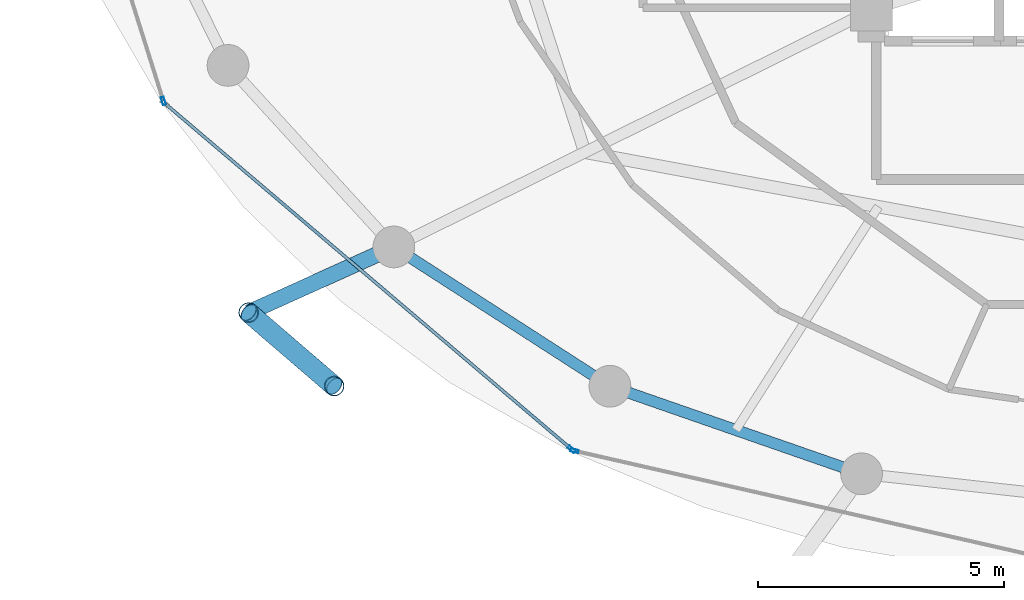
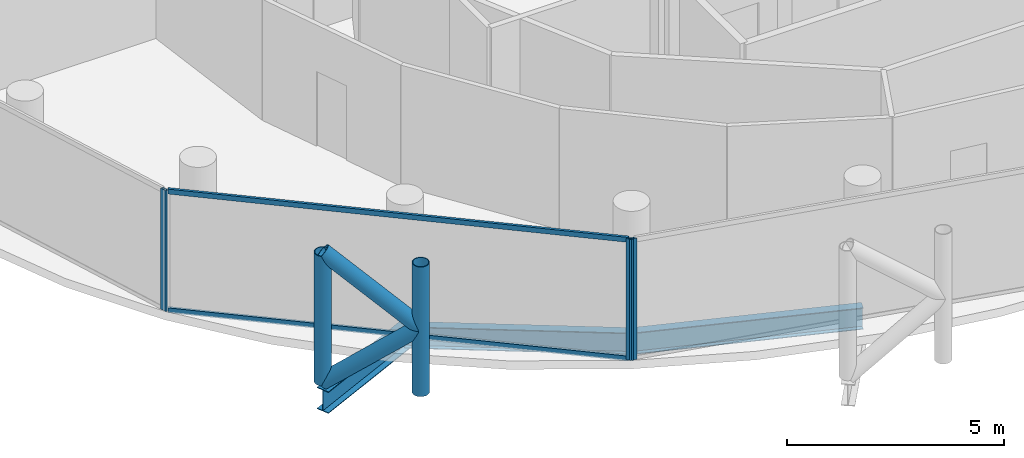
# One storey, part 2 of 28: 9 members, 3 beams, 3 elements without a shape of their own.
"""IFC4 building model written with IfcOpenShell, lengths in metres."""

from ifc_helpers import new_model, si_unit, direction, frame, origin, origin_2d, place, context, subcontext, project, spatial, hollow_rectangle, hollow_circle, i_section, extrude, material, layer, layer_set, material_profile, profile_set, type_object, element, aggregate, save


model = new_model("IFC4")

# Units and contexts
model_context = context("Model", 3, precision=1e-05, world=origin(), true_north=direction((0.0, 1.0)))
body_context = subcontext(model_context, "Body", "Model", "MODEL_VIEW")
ifc_project = project(units=[si_unit("LENGTHUNIT", "METRE"), si_unit("AREAUNIT", "SQUARE_METRE"), si_unit("VOLUMEUNIT", "CUBIC_METRE"), si_unit("PLANEANGLEUNIT", "RADIAN"), si_unit("MASSUNIT", "GRAM", prefix="KILO")], contexts=[model_context])

# Site, building, storey
site_placement = place(None, origin())
site = spatial("IfcSite", under=ifc_project, at=site_placement, CompositionType="ELEMENT")
building_placement = place(site_placement, origin())
building = spatial("IfcBuilding", under=site, at=building_placement, Name="Nuhasar Tower", CompositionType="ELEMENT")
storey_placement = place(building_placement, frame((0.0, 0.0, 222.75)))
storey = spatial("IfcBuildingStorey", under=building, at=storey_placement, Name="L54", CompositionType="ELEMENT", Elevation=222.75)

# Beams
ifc_material_1 = material(Name="Steel S355", Category="steel")
ifc_material_profile_1 = material_profile(ifc_material_1, i_section(OverallWidth=0.22802734375, OverallDepth=0.60791015625, WebThickness=0.01123046875, FlangeThickness=0.017333984375, at=origin_2d()), Name="W24X76")
ifc_profile_set_1 = profile_set([ifc_material_profile_1], Name="Steel S355")
beam_type_1 = type_object("IfcBeamType", Name="BM-RING-W24X76", PredefinedType="SPANDREL", material=ifc_profile_set_1)
beam_1_placement = place(storey_placement, frame((23.97412109375, 14.177978515625, -0.5439453125), z_axis=(0.840502144969, -0.541808217272, 0.0), x_axis=(0.541808217272, 0.840502144969, 0.0)))
element("IfcBeam", 1, at=beam_1_placement, inside=storey, type_object=beam_type_1, Name="L54 Perimeter Ring Spandrel 16", PredefinedType="SPANDREL", context=body_context, shape_type="SweptSolid", body=[
    extrude(i_section(OverallWidth=0.22802734375, OverallDepth=0.60791015625, WebThickness=0.01123046875, FlangeThickness=0.017333984375, at=origin_2d()), origin(), (0.0, 0.0, 1.0), 5.236083984375),
])
beam_2_placement = place(storey_placement, frame((28.375, 11.341064453125, -0.5439453125), z_axis=(0.944476764686, -0.328578211342, 0.0), x_axis=(0.328578211342, 0.944476764686, 0.0)))
element("IfcBeam", 2, at=beam_2_placement, inside=storey, type_object=beam_type_1, Name="L54 Perimeter Ring Spandrel 17", PredefinedType="SPANDREL", context=body_context, shape_type="SweptSolid", body=[
    extrude(i_section(OverallWidth=0.22802734375, OverallDepth=0.60791015625, WebThickness=0.01123046875, FlangeThickness=0.017333984375, at=origin_2d()), origin(), (0.0, 0.0, 1.0), 5.42626953125),
])
ifc_material_profile_2 = material_profile(ifc_material_1, i_section(OverallWidth=0.323974609375, OverallDepth=0.611083984375, WebThickness=0.0126953125, FlangeThickness=0.01904296875, at=origin_2d()), Name="W24X104")
ifc_profile_set_2 = profile_set([ifc_material_profile_2], Name="Steel S355")
beam_type_2 = type_object("IfcBeamType", Name="BM-TIE-W24X104", PredefinedType="BEAM", material=ifc_profile_set_2)
beam_3_placement = place(storey_placement, frame((23.97412109375, 14.177978515625, -0.5458984375), z_axis=(-0.911363318082, -0.411602845538, 0.0), x_axis=(0.411602845538, -0.911363318082, 0.0)))
element("IfcBeam", 3, at=beam_3_placement, inside=storey, type_object=beam_type_2, Name="L54 Exoskeleton Node Tie Beam 08", PredefinedType="BEAM", context=body_context, shape_type="SweptSolid", body=[
    extrude(i_section(OverallWidth=0.323974609375, OverallDepth=0.611083984375, WebThickness=0.0126953125, FlangeThickness=0.01904296875, at=origin_2d()), origin(), (0.0, 0.0, 1.0), 3.24560546875),
])

# Curtain wall, member
ifc_material_2 = material(Name="Aluminium 6063-T6", Category="aluminium")
ifc_layer = layer(ifc_material_2, 0.18994140625)
ifc_layer_set = layer_set([ifc_layer], Name="Aluminium 6063-T6")
curtain_wall_type = type_object("IfcCurtainWallType", Name="CW-Z3-RES", PredefinedType="NOTDEFINED", material=ifc_layer_set)
curtain_wall_1_placement = place(storey_placement, origin())
curtain_wall_1 = element("IfcCurtainWall", 4, at=curtain_wall_1_placement, inside=storey, type_object=curtain_wall_type, Name="L54 Unitised Curtain Wall 07", PredefinedType="NOTDEFINED")
ifc_material_profile_3 = material_profile(ifc_material_2, hollow_rectangle(XDim=0.06494140625, YDim=0.169921875, WallThickness=0.0048828125, at=origin_2d()), Name="CWM-4")
ifc_profile_set_3 = profile_set([ifc_material_profile_3], Name="Aluminium 6063-T6")
member_type_1 = type_object("IfcMemberType", Name="CW-MUL-S4", PredefinedType="MULLION", material=ifc_profile_set_3)
member_1_placement = place(storey_placement, frame((19.279296875, 17.15087890625, 0.0), z_axis=(0.0, 0.0, 1.0), x_axis=(0.95380429279, 0.30042864553, 0.0)))
member_1 = element("IfcMember", 5, at=member_1_placement, type_object=member_type_1, Name="CW-Z3 mullion 2", PredefinedType="MULLION", context=body_context, shape_type="SweptSolid", body=[
    extrude(hollow_rectangle(XDim=0.06494140625, YDim=0.169921875, WallThickness=0.0048828125, at=origin_2d()), origin(), (0.0, 0.0, 1.0), 3.409912109375),
])
aggregate(curtain_wall_1, [member_1])

curtain_wall_2_placement = place(storey_placement, origin())
curtain_wall_2 = element("IfcCurtainWall", 6, at=curtain_wall_2_placement, inside=storey, type_object=curtain_wall_type, Name="L54 Unitised Curtain Wall 08", PredefinedType="NOTDEFINED")
member_2_placement = place(storey_placement, frame((27.59521484375, 10.05517578125, 0.0), z_axis=(0.0, 0.0, 1.0), x_axis=(0.64789521578, 0.761729472562, 0.0)))
member_2 = element("IfcMember", 7, at=member_2_placement, type_object=member_type_1, Name="CW-Z3 mullion 2", PredefinedType="MULLION", context=body_context, shape_type="SweptSolid", body=[
    extrude(hollow_rectangle(XDim=0.06494140625, YDim=0.169921875, WallThickness=0.0048828125, at=origin_2d()), origin(), (0.0, 0.0, 1.0), 3.409912109375),
])

curtain_wall_3_placement = place(storey_placement, origin())
curtain_wall_3 = element("IfcCurtainWall", 8, at=curtain_wall_3_placement, inside=storey, type_object=curtain_wall_type, Name="L54 Unitised Curtain Wall 09", PredefinedType="NOTDEFINED")
member_3_placement = place(storey_placement, frame((27.651611328125, 10.02685546875, 0.0), z_axis=(0.0, 0.0, 1.0), x_axis=(0.222243176313, 0.974991266926, 0.0)))
member_3 = element("IfcMember", 9, at=member_3_placement, type_object=member_type_1, Name="CW-Z3 mullion 1", PredefinedType="MULLION", context=body_context, shape_type="SweptSolid", body=[
    extrude(hollow_rectangle(XDim=0.06494140625, YDim=0.169921875, WallThickness=0.0048828125, at=origin_2d()), origin(), (0.0, 0.0, 1.0), 3.409912109375),
])
aggregate(curtain_wall_3, [member_3])

# Member
ifc_material_profile_4 = material_profile(ifc_material_2, hollow_rectangle(XDim=0.06494140625, YDim=0.139892578125, WallThickness=0.00439453125, at=origin_2d()), Name="CWT-4")
ifc_profile_set_4 = profile_set([ifc_material_profile_4], Name="Aluminium 6063-T6")
member_type_2 = type_object("IfcMemberType", Name="CW-TRN-S4", PredefinedType="USERDEFINED", material=ifc_profile_set_4)
member_4_placement = place(storey_placement, frame((19.338623046875, 17.077880859375, 0.032470703125), z_axis=(0.761730809511, -0.647893643928, 0.0), x_axis=(0.647893643928, 0.761730809511, 0.0)))
member_4 = element("IfcMember", 10, at=member_4_placement, type_object=member_type_2, Name="CW-Z3 transom 1.1", ObjectType="TRANSOM", PredefinedType="USERDEFINED", context=body_context, shape_type="SweptSolid", body=[
    extrude(hollow_rectangle(XDim=0.06494140625, YDim=0.139892578125, WallThickness=0.00439453125, at=origin_2d()), origin(), (0.0, 0.0, 1.0), 10.806884765625),
])

member_5_placement = place(storey_placement, frame((19.338623046875, 17.077880859375, 3.37744140625), z_axis=(0.761730809511, -0.647893643928, 0.0), x_axis=(0.647893643928, 0.761730809511, 0.0)))
member_5 = element("IfcMember", 11, at=member_5_placement, type_object=member_type_2, Name="CW-Z3 transom 1.2", ObjectType="TRANSOM", PredefinedType="USERDEFINED", context=body_context, shape_type="SweptSolid", body=[
    extrude(hollow_rectangle(XDim=0.06494140625, YDim=0.139892578125, WallThickness=0.00439453125, at=origin_2d()), origin(), (0.0, 0.0, 1.0), 10.806884765625),
])

aggregate(curtain_wall_2, [member_2, member_4, member_5])

# Members
ifc_material_3 = material(Name="Steel S460", Category="steel")
ifc_material_profile_5 = material_profile(ifc_material_3, hollow_circle(Radius=0.203125, WallThickness=0.01904296875, at=origin_2d()), Name="HSS406.4X19.1")
ifc_profile_set_5 = profile_set([ifc_material_profile_5], Name="Steel S460")
member_type_3 = type_object("IfcMemberType", Name="EXO-BRONZE-406", PredefinedType="BRACE", material=ifc_profile_set_5)
for number, where, z_axis, x_axis, name in (
    (12, (21.01611328125, 12.842041015625, 0.0), (0.0, 0.0, 1.0), (1.0, 0.0, 0.0), "L54 Exoskeleton Chord Column EC-08A"),
    (13, (22.760009765625, 11.343017578125, 0.0), (0.0, 0.0, 1.0), (1.0, 0.0, 0.0), "L54 Exoskeleton Chord Column EC-08B"),
):
    element("IfcMember", number, at=place(storey_placement, frame(where, z_axis=z_axis, x_axis=x_axis)), inside=storey, type_object=member_type_3, Name=name, PredefinedType="BRACE", context=body_context, shape_type="SweptSolid", body=[
        extrude(hollow_circle(Radius=0.203125, WallThickness=0.01904296875, at=origin_2d()), origin(), (0.0, 0.0, 1.0), 3.64990234375),
    ])
for number, where, z_axis, x_axis, name in (
    (14, (21.01611328125, 12.842041015625, 0.0), (0.594018535389, -0.510608120858, 0.621627964725), (0.65185738425, 0.758341579104, 0.0), "L54 Bronze Diagrid Brace W1-08"),
    (15, (22.760009765625, 11.343017578125, 1.824951171875), (-0.594018535389, 0.510608120858, 0.621627964725), (-0.65185738425, -0.758341579104, 0.0), "L54 Bronze Diagrid Brace W2-08"),
):
    element("IfcMember", number, at=place(storey_placement, frame(where, z_axis=z_axis, x_axis=x_axis)), inside=storey, type_object=member_type_3, Name=name, PredefinedType="BRACE", context=body_context, shape_type="SweptSolid", body=[
        extrude(hollow_circle(Radius=0.203125, WallThickness=0.01904296875, at=origin_2d()), origin(), (0.0, 0.0, 1.0), 2.935791015625),
    ])

save(model, "model.ifc")
